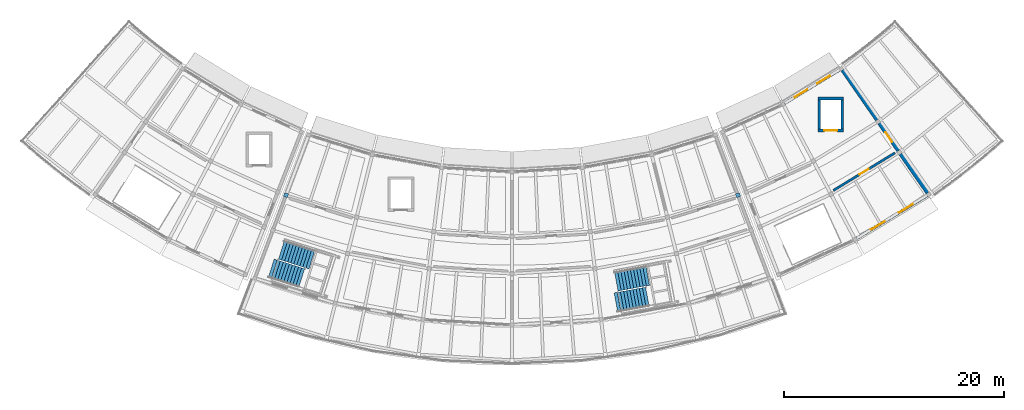
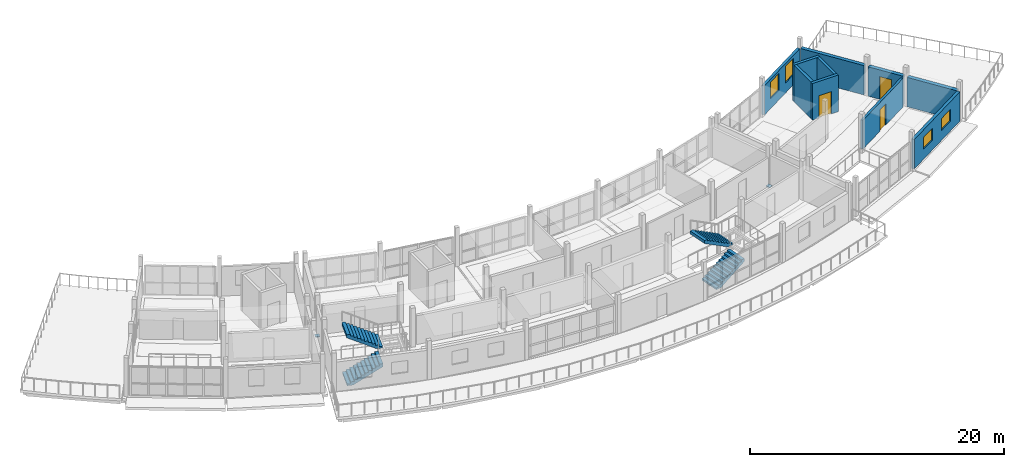
# One storey, part 19 of 24: 10 walls, 4 stair flights, 4 windows, 3 doors, 2 discrete accessories, 7 openings, 2 elements without a shape of their own.
"""IFC4 building model written with IfcOpenShell, lengths in metres."""

from ifc_helpers import new_model, si_unit, direction, frame, frame_2d, origin, origin_2d, place, context, subcontext, project, spatial, polyline, rectangle, outline, extrude, material, layer, layer_set, type_object, element, fill, aggregate, save


model = new_model("IFC4")

# Units and contexts
model_context = context("Model", 3, precision=1e-05, world=origin(), true_north=direction((0.0, 1.0)))
body_context = subcontext(model_context, "Body", "Model", "MODEL_VIEW")
ifc_project = project(units=[si_unit("LENGTHUNIT", "METRE"), si_unit("AREAUNIT", "SQUARE_METRE"), si_unit("VOLUMEUNIT", "CUBIC_METRE"), si_unit("PLANEANGLEUNIT", "RADIAN"), si_unit("MASSUNIT", "GRAM", prefix="KILO")], contexts=[model_context])

# Site, building, storey
site_placement = place(None, origin())
site = spatial("IfcSite", under=ifc_project, at=site_placement, CompositionType="ELEMENT")
building_placement = place(site_placement, origin())
building = spatial("IfcBuilding", under=site, at=building_placement, Name="Caldaven Crescent School", CompositionType="ELEMENT")
storey_placement = place(building_placement, frame((0.0, 0.0, 15.639892578125)))
storey = spatial("IfcBuildingStorey", under=building, at=storey_placement, Name="L04", CompositionType="ELEMENT", Elevation=15.639892578125)

# Wall
ifc_material_1 = material(Name="Concrete C35/45", Category="concrete")
ifc_layer_1 = layer(ifc_material_1, 0.300048828125)
ifc_layer_set_1 = layer_set([ifc_layer_1], Name="Concrete C35/45")
wall_type_1 = type_object("IfcWallType", Name="WAL-CW1", PredefinedType="SHEAR", material=ifc_layer_set_1)
wall_1_placement = place(storey_placement, frame((115.771484375, 50.213623046875, 0.0), z_axis=(0.0, 0.0, 1.0), x_axis=(1.0, 0.0, 0.0)))
element("IfcWall", 1, at=wall_1_placement, inside=storey, type_object=wall_type_1, Name="CW-LF6-L04-N", PredefinedType="SHEAR", context=body_context, shape_type="SweptSolid", body=[
    extrude(rectangle(XDim=2.349853515625, YDim=0.25, at=frame_2d((1.1748046875, 0.0))), origin(), (0.0, 0.0, 1.0), 3.530029296875),
])

# Wall, opening, door
wall_2_placement = place(storey_placement, frame((115.771484375, 47.313720703125, 0.0), z_axis=(0.0, 0.0, 1.0), x_axis=(1.0, 0.0, 0.0)))
wall_2 = element("IfcWall", 2, at=wall_2_placement, inside=storey, type_object=wall_type_1, Name="CW-LF6-L04-S", PredefinedType="SHEAR", context=body_context, shape_type="SweptSolid", body=[
    extrude(rectangle(XDim=2.349853515625, YDim=0.25, at=frame_2d((1.1748046875, 0.0))), origin(), (0.0, 0.0, 1.0), 3.530029296875),
])
opening_1_placement = place(wall_2_placement, frame((0.60009765625, 0.0, 0.0)))
opening_1 = element("IfcOpeningElement", 3, at=opening_1_placement, cuts=wall_2, Name="Opening LD-LF6-L04", PredefinedType="OPENING", context=body_context, shape_type="SweptSolid", body=[
    extrude(rectangle(XDim=1.14990234375, YDim=2.14990234375, at=frame_2d((0.574951171875, 1.074951171875))), frame((0.0, 0.135009765625, 0.0), z_axis=(0.0, -1.0, 0.0), x_axis=(1.0, 0.0, 0.0)), (0.0, 0.0, 1.0), 0.27001953125),
])
ifc_material_2 = material(Name="Brushed stainless-steel automatic telescopic landing door", Category="steel")
door_type_1 = type_object("IfcDoorType", Name="DOR-LD02", OperationType="DOUBLE_DOOR_SLIDING", PredefinedType="DOOR", material=ifc_material_2)
door_1_placement = place(opening_1_placement, origin())
door_1 = element("IfcDoor", 4, at=door_1_placement, inside=storey, type_object=door_type_1, Name="DOR-LD-LF6-L04", OperationType="DOUBLE_DOOR_SLIDING", OverallHeight=2.14990234375, OverallWidth=1.14990234375, PredefinedType="DOOR", context=body_context, shape_type="SweptSolid", body=[
    extrude(rectangle(XDim=1.14990234375, YDim=2.14990234375, at=frame_2d((0.574951171875, 1.074951171875))), frame((0.0, 0.02490234375, 0.0), z_axis=(0.0, -1.0, 0.0), x_axis=(1.0, 0.0, 0.0)), (0.0, 0.0, 1.0), 0.050048828125),
])
fill(opening_1, door_1)

# Walls
ifc_layer_2 = layer(ifc_material_1, 0.25)
ifc_layer_set_2 = layer_set([ifc_layer_2], Name="Concrete C35/45")
wall_type_2 = type_object("IfcWallType", Name="WAL-CW2", PredefinedType="SHEAR", material=ifc_layer_set_2)
for number, where, z_axis, x_axis, name in (
    (5, (115.896484375, 47.438720703125, 0.0), (0.0, 0.0, 1.0), (0.0, 1.0, 0.0), "CW-LF6-L04-W"),
    (6, (117.996337890625, 47.438720703125, 0.0), (0.0, 0.0, 1.0), (0.0, 1.0, 0.0), "CW-LF6-L04-E"),
):
    element("IfcWall", number, at=place(storey_placement, frame(where, z_axis=z_axis, x_axis=x_axis)), inside=storey, type_object=wall_type_2, Name=name, PredefinedType="SHEAR", context=body_context, shape_type="SweptSolid", body=[
        extrude(rectangle(XDim=2.64990234375, YDim=0.25, at=frame_2d((1.324951171875, 0.0))), origin(), (0.0, 0.0, 1.0), 3.530029296875),
    ])

# Wall, openings, windows
ifc_material_3 = material(Name="Precast concrete C35/45", Category="concrete")
ifc_layer_3 = layer(ifc_material_3, 0.251953125)
ifc_layer_set_3 = layer_set([ifc_layer_3], Name="Precast concrete C35/45")
wall_type_3 = type_object("IfcWallType", Name="WAL-EW06", PredefinedType="STANDARD", material=ifc_layer_set_3)
wall_3_placement = place(storey_placement, frame((112.76708984375, 49.77685546875, 0.0), z_axis=(0.0, 0.0, 1.0), x_axis=(0.853723820394, 0.520726068573, 0.0)))
wall_3 = element("IfcWall", 7, at=wall_3_placement, inside=storey, type_object=wall_type_3, Name="EW-L04-243", PredefinedType="STANDARD", context=body_context, shape_type="SweptSolid", body=[
    extrude(rectangle(XDim=5.853515625, YDim=0.251953125, at=frame_2d((2.9267578125, 0.0))), origin(), (0.0, 0.0, 1.0), 2.820068359375),
])
opening_2_placement = place(wall_3_placement, frame((1.057861328125, 0.0, 0.949951171875)))
opening_2 = element("IfcOpeningElement", 8, at=opening_2_placement, cuts=wall_3, Name="Opening W12", PredefinedType="OPENING", context=body_context, shape_type="SweptSolid", body=[
    extrude(rectangle(XDim=1.340087890625, YDim=1.60009765625, at=frame_2d((0.669921875, 0.800048828125))), frame((0.0, 0.135986328125, 0.0), z_axis=(0.0, -1.0, 0.0), x_axis=(1.0, 0.0, 0.0)), (0.0, 0.0, 1.0), 0.27197265625),
])
opening_3_placement = place(wall_3_placement, frame((3.45556640625, 0.0, 0.949951171875)))
opening_3 = element("IfcOpeningElement", 9, at=opening_3_placement, cuts=wall_3, Name="Opening W12", PredefinedType="OPENING", context=body_context, shape_type="SweptSolid", body=[
    extrude(rectangle(XDim=1.340087890625, YDim=1.60009765625, at=frame_2d((0.669921875, 0.800048828125))), frame((0.0, 0.135986328125, 0.0), z_axis=(0.0, -1.0, 0.0), x_axis=(1.0, 0.0, 0.0)), (0.0, 0.0, 1.0), 0.27197265625),
])
ifc_material_4 = material(Name="Thermally broken anodised aluminium AA 6063-T6 and low-E double glazing", Category="aluminium")
window_type_1 = type_object("IfcWindowType", Name="WIN-W12", PartitioningType="SINGLE_PANEL", PredefinedType="WINDOW", material=ifc_material_4)
window_1_placement = place(opening_2_placement, origin())
window_1 = element("IfcWindow", 10, at=window_1_placement, inside=storey, type_object=window_type_1, Name="WIN-L04-107-1", OverallHeight=1.60009765625, OverallWidth=1.340087890625, PartitioningType="SINGLE_PANEL", PredefinedType="WINDOW", context=body_context, shape_type="SweptSolid", body=[
    extrude(rectangle(XDim=1.340087890625, YDim=1.60009765625, at=frame_2d((0.669921875, 0.800048828125))), frame((0.0, 0.030029296875, 0.0), z_axis=(0.0, -1.0, 0.0), x_axis=(1.0, 0.0, 0.0)), (0.0, 0.0, 1.0), 0.06005859375),
])
fill(opening_2, window_1)
window_2_placement = place(opening_3_placement, origin())
window_2 = element("IfcWindow", 11, at=window_2_placement, inside=storey, type_object=window_type_1, Name="WIN-L04-107-2", OverallHeight=1.60009765625, OverallWidth=1.340087890625, PartitioningType="SINGLE_PANEL", PredefinedType="WINDOW", context=body_context, shape_type="SweptSolid", body=[
    extrude(rectangle(XDim=1.340087890625, YDim=1.60009765625, at=frame_2d((0.669921875, 0.800048828125))), frame((0.0, 0.030029296875, 0.0), z_axis=(0.0, -1.0, 0.0), x_axis=(1.0, 0.0, 0.0)), (0.0, 0.0, 1.0), 0.06005859375),
])
fill(opening_3, window_2)

ifc_layer_4 = layer(ifc_material_3, 0.263916015625)
ifc_layer_set_4 = layer_set([ifc_layer_4], Name="Precast concrete C35/45")
wall_type_4 = type_object("IfcWallType", Name="WAL-EW07", PredefinedType="STANDARD", material=ifc_layer_set_4)
wall_4_placement = place(storey_placement, frame((119.29296875, 37.50390625, 0.0), z_axis=(0.0, 0.0, 1.0), x_axis=(0.853701147524, 0.520763238638, 0.0)))
wall_4 = element("IfcWall", 12, at=wall_4_placement, inside=storey, type_object=wall_type_4, Name="EW-L04-244", PredefinedType="STANDARD", context=body_context, shape_type="SweptSolid", body=[
    extrude(rectangle(XDim=7.493408203125, YDim=0.263916015625, at=frame_2d((3.74658203125, 0.0))), origin(), (0.0, 0.0, 1.0), 2.820068359375),
])
opening_4_placement = place(wall_4_placement, frame((1.524658203125, 0.0, 0.949951171875)))
opening_4 = element("IfcOpeningElement", 13, at=opening_4_placement, cuts=wall_4, Name="Opening W13", PredefinedType="OPENING", context=body_context, shape_type="SweptSolid", body=[
    extrude(rectangle(XDim=1.4599609375, YDim=1.14990234375, at=frame_2d((0.72998046875, 0.574951171875))), frame((0.0, 0.141845703125, 0.0), z_axis=(0.0, -1.0, 0.0), x_axis=(1.0, 0.0, 0.0)), (0.0, 0.0, 1.0), 0.283935546875),
])
opening_5_placement = place(wall_4_placement, frame((4.509033203125, 0.0, 0.949951171875)))
opening_5 = element("IfcOpeningElement", 14, at=opening_5_placement, cuts=wall_4, Name="Opening W13", PredefinedType="OPENING", context=body_context, shape_type="SweptSolid", body=[
    extrude(rectangle(XDim=1.4599609375, YDim=1.14990234375, at=frame_2d((0.72998046875, 0.574951171875))), frame((0.0, 0.141845703125, 0.0), z_axis=(0.0, -1.0, 0.0), x_axis=(1.0, 0.0, 0.0)), (0.0, 0.0, 1.0), 0.283935546875),
])
window_type_2 = type_object("IfcWindowType", Name="WIN-W13", PartitioningType="SINGLE_PANEL", PredefinedType="WINDOW", material=ifc_material_4)
window_3_placement = place(opening_4_placement, origin())
window_3 = element("IfcWindow", 15, at=window_3_placement, inside=storey, type_object=window_type_2, Name="WIN-L04-108-1", OverallHeight=1.14990234375, OverallWidth=1.4599609375, PartitioningType="SINGLE_PANEL", PredefinedType="WINDOW", context=body_context, shape_type="SweptSolid", body=[
    extrude(rectangle(XDim=1.4599609375, YDim=1.14990234375, at=frame_2d((0.72998046875, 0.574951171875))), frame((0.0, 0.030029296875, 0.0), z_axis=(0.0, -1.0, 0.0), x_axis=(1.0, 0.0, 0.0)), (0.0, 0.0, 1.0), 0.06005859375),
])
fill(opening_4, window_3)
window_4_placement = place(opening_5_placement, origin())
window_4 = element("IfcWindow", 16, at=window_4_placement, inside=storey, type_object=window_type_2, Name="WIN-L04-108-2", OverallHeight=1.14990234375, OverallWidth=1.4599609375, PartitioningType="SINGLE_PANEL", PredefinedType="WINDOW", context=body_context, shape_type="SweptSolid", body=[
    extrude(rectangle(XDim=1.4599609375, YDim=1.14990234375, at=frame_2d((0.72998046875, 0.574951171875))), frame((0.0, 0.030029296875, 0.0), z_axis=(0.0, -1.0, 0.0), x_axis=(1.0, 0.0, 0.0)), (0.0, 0.0, 1.0), 0.06005859375),
])
fill(opening_5, window_4)

# Wall
ifc_layer_5 = layer(ifc_material_3, 0.31201171875)
ifc_layer_set_5 = layer_set([ifc_layer_5], Name="Precast concrete C35/45")
wall_type_5 = type_object("IfcWallType", Name="WAL-EW11", PredefinedType="STANDARD", material=ifc_layer_set_5)
wall_5_placement = place(storey_placement, frame((118.00341796875, 52.7744140625, 0.0), z_axis=(0.0, 0.0, 1.0), x_axis=(0.570236884325, -0.821480307588, 0.0)))
element("IfcWall", 17, at=wall_5_placement, inside=storey, type_object=wall_type_5, Name="EW-L04-248", PredefinedType="STANDARD", context=body_context, shape_type="SweptSolid", body=[
    extrude(rectangle(XDim=5.4990234375, YDim=0.31201171875, at=frame_2d((2.74951171875, 0.0))), origin(), (0.0, 0.0, 1.0), 2.820068359375),
])

# Wall, opening, door
ifc_layer_6 = layer(ifc_material_3, 0.323974609375)
ifc_layer_set_6 = layer_set([ifc_layer_6], Name="Precast concrete C35/45")
wall_type_6 = type_object("IfcWallType", Name="WAL-EW12", PredefinedType="STANDARD", material=ifc_layer_set_6)
wall_6_placement = place(storey_placement, frame((121.347900390625, 47.95654296875, 0.0), z_axis=(0.0, 0.0, 1.0), x_axis=(0.570201261131, -0.821505034559, 0.0)))
wall_6 = element("IfcWall", 18, at=wall_6_placement, inside=storey, type_object=wall_type_6, Name="EW-L04-249", PredefinedType="STANDARD", context=body_context, shape_type="SweptSolid", body=[
    extrude(rectangle(XDim=3.033935546875, YDim=0.323974609375, at=frame_2d((1.51708984375, 0.0))), origin(), (0.0, 0.0, 1.0), 2.820068359375),
])
opening_6_placement = place(wall_6_placement, frame((0.987060546875, 0.0, 0.0)))
opening_6 = element("IfcOpeningElement", 19, at=opening_6_placement, cuts=wall_6, Name="Opening D-L04-E042", PredefinedType="OPENING", context=body_context, shape_type="SweptSolid", body=[
    extrude(rectangle(XDim=1.06005859375, YDim=2.179931640625, at=frame_2d((0.530029296875, 1.08984375))), frame((0.0, 0.171875, 0.0), z_axis=(0.0, -1.0, 0.0), x_axis=(1.0, 0.0, 0.0)), (0.0, 0.0, 1.0), 0.343994140625),
])
ifc_material_5 = material(Name="Thermally broken bronze-anodised aluminium and laminated safety glass", Category="aluminium")
door_type_2 = type_object("IfcDoorType", Name="DOR-EX03", OperationType="NOTDEFINED", PredefinedType="DOOR", material=ifc_material_5)
door_2_placement = place(opening_6_placement, origin())
door_2 = element("IfcDoor", 20, at=door_2_placement, inside=storey, type_object=door_type_2, Name="DOR-EXT-L04-042", OperationType="SINGLE_SWING_LEFT", OverallHeight=2.179931640625, OverallWidth=1.06005859375, PredefinedType="DOOR", context=body_context, shape_type="SweptSolid", body=[
    extrude(rectangle(XDim=1.06005859375, YDim=2.179931640625, at=frame_2d((0.530029296875, 1.08984375))), frame((0.0, 0.02490234375, 0.0), z_axis=(0.0, -1.0, 0.0), x_axis=(1.0, 0.0, 0.0)), (0.0, 0.0, 1.0), 0.050048828125),
])
fill(opening_6, door_2)

# Wall
ifc_layer_7 = layer(ifc_material_3, 0.3359375)
ifc_layer_set_7 = layer_set([ifc_layer_7], Name="Precast concrete C35/45")
wall_type_7 = type_object("IfcWallType", Name="WAL-EW13", PredefinedType="STANDARD", material=ifc_layer_set_7)
wall_7_placement = place(storey_placement, frame((123.28662109375, 45.163330078125, 0.0), z_axis=(0.0, 0.0, 1.0), x_axis=(0.570237221937, -0.821480073232, 0.0)))
element("IfcWall", 21, at=wall_7_placement, inside=storey, type_object=wall_type_7, Name="EW-L04-250", PredefinedType="STANDARD", context=body_context, shape_type="SweptSolid", body=[
    extrude(rectangle(XDim=4.298828125, YDim=0.3359375, at=frame_2d((2.1494140625, 0.0))), origin(), (0.0, 0.0, 1.0), 2.820068359375),
])

# Wall, opening, door
ifc_material_6 = material(Name="Acoustic timber-stud and fire-rated gypsum board assembly", Category="wood")
ifc_layer_8 = layer(ifc_material_6, 0.2099609375)
ifc_layer_set_8 = layer_set([ifc_layer_8], Name="Acoustic timber-stud and fire-rated gypsum board assembly")
wall_type_8 = type_object("IfcWallType", Name="WAL-IW06", PredefinedType="STANDARD", material=ifc_layer_set_8)
wall_8_placement = place(storey_placement, frame((117.189208984375, 41.868408203125, 0.0), z_axis=(0.0, 0.0, 1.0), x_axis=(0.853694979533, 0.520773349855, 0.0)))
wall_8 = element("IfcWall", 22, at=wall_8_placement, inside=storey, type_object=wall_type_8, Name="IW-L04-0293", PredefinedType="STANDARD", context=body_context, shape_type="SweptSolid", body=[
    extrude(rectangle(XDim=6.539794921875, YDim=0.2099609375, at=frame_2d((3.27001953125, 0.0))), origin(), (0.0, 0.0, 1.0), 2.760009765625),
])
opening_7_placement = place(wall_8_placement, frame((2.77978515625, 0.0, 0.0)))
opening_7 = element("IfcOpeningElement", 23, at=opening_7_placement, cuts=wall_8, Name="Opening D-L04-I212", PredefinedType="OPENING", context=body_context, shape_type="SweptSolid", body=[
    extrude(rectangle(XDim=0.97998046875, YDim=2.06005859375, at=frame_2d((0.489990234375, 1.030029296875))), frame((0.0, 0.114990234375, 0.0), z_axis=(0.0, -1.0, 0.0), x_axis=(1.0, 0.0, 0.0)), (0.0, 0.0, 1.0), 0.22998046875),
])
ifc_material_7 = material(Name="Solid-core Pino Radiata acoustic timber leaf in steel frame", Category="steel")
door_type_3 = type_object("IfcDoorType", Name="DOR-ID13", OperationType="NOTDEFINED", PredefinedType="DOOR", material=ifc_material_7)
door_3_placement = place(opening_7_placement, origin())
door_3 = element("IfcDoor", 24, at=door_3_placement, inside=storey, type_object=door_type_3, Name="DOR-INT-L04-0212", OperationType="SINGLE_SWING_LEFT", OverallHeight=2.06005859375, OverallWidth=0.97998046875, PredefinedType="DOOR", context=body_context, shape_type="SweptSolid", body=[
    extrude(rectangle(XDim=0.97998046875, YDim=2.06005859375, at=frame_2d((0.489990234375, 1.030029296875))), frame((0.0, 0.02490234375, 0.0), z_axis=(0.0, -1.0, 0.0), x_axis=(1.0, 0.0, 0.0)), (0.0, 0.0, 1.0), 0.050048828125),
])
fill(opening_7, door_3)

# Stair, stair flights
ifc_material_8 = material(Name="Precast concrete C30/37", Category="concrete")
stair_type = type_object("IfcStairType", Name="STR-S6", PredefinedType="TWO_STRAIGHT_RUN_STAIR", material=ifc_material_8)
stair_1_placement = place(storey_placement, origin())
stair_1 = element("IfcStair", 25, at=stair_1_placement, inside=storey, type_object=stair_type, Name="STAIR-ST2-L04", PredefinedType="TWO_STRAIGHT_RUN_STAIR")
stair_flight_type = type_object("IfcStairFlightType", Name="STF-F6", PredefinedType="STRAIGHT", material=ifc_material_8)
stair_flight_1_placement = place(storey_placement, frame((66.14208984375, 34.789794921875, 0.0), z_axis=(0.0, 0.0, 1.0), x_axis=(0.953716950748, -0.300705799504, 0.0)))
stair_flight_1 = element("IfcStairFlight", 26, at=stair_flight_1_placement, type_object=stair_flight_type, Name="ST2-L04 flight 1", NumberOfRisers=11, NumberOfTreads=10, PredefinedType="STRAIGHT", RiserHeight=0.17, TreadLength=0.29, context=body_context, shape_type="SweptSolid", body=[
    extrude(outline(polyline([(0.0, 0.0), (0.0, 0.169921875), (0.2900390625, 0.169921875), (0.2900390625, 0.340087890625), (0.580078125, 0.340087890625), (0.580078125, 0.510009765625), (0.8701171875, 0.510009765625), (0.8701171875, 0.679931640625), (1.159912109375, 0.679931640625), (1.159912109375, 0.85009765625), (1.449951171875, 0.85009765625), (1.449951171875, 1.02001953125), (1.739990234375, 1.02001953125), (1.739990234375, 1.18994140625), (2.030029296875, 1.18994140625), (2.030029296875, 1.360107421875), (2.320068359375, 1.360107421875), (2.320068359375, 1.530029296875), (2.610107421875, 1.530029296875), (2.610107421875, 1.699951171875), (2.89990234375, 1.699951171875), (2.89990234375, 1.8701171875), (2.89990234375, 1.412353515625), (0.490478515625, 0.0), (0.0, 0.0)])), frame((0.0, 0.8798828125, 0.0), z_axis=(0.0, -1.0, 0.0), x_axis=(1.0, 0.0, 0.0)), (0.0, 0.0, 1.0), 1.760009765625),
])
stair_flight_2_placement = place(storey_placement, frame((69.82958984375, 35.577392578125, 1.8701171875), z_axis=(0.0, 0.0, 1.0), x_axis=(-0.953716950748, 0.300705799504, 0.0)))
stair_flight_2 = element("IfcStairFlight", 27, at=stair_flight_2_placement, type_object=stair_flight_type, Name="ST2-L04 flight 2", NumberOfRisers=11, NumberOfTreads=10, PredefinedType="STRAIGHT", RiserHeight=0.17, TreadLength=0.29, context=body_context, shape_type="SweptSolid", body=[
    extrude(outline(polyline([(0.0, 0.0), (0.0, 0.169921875), (0.2900390625, 0.169921875), (0.2900390625, 0.340087890625), (0.580078125, 0.340087890625), (0.580078125, 0.510009765625), (0.8701171875, 0.510009765625), (0.8701171875, 0.679931640625), (1.159912109375, 0.679931640625), (1.159912109375, 0.85009765625), (1.449951171875, 0.85009765625), (1.449951171875, 1.02001953125), (1.739990234375, 1.02001953125), (1.739990234375, 1.18994140625), (2.030029296875, 1.18994140625), (2.030029296875, 1.360107421875), (2.320068359375, 1.360107421875), (2.320068359375, 1.530029296875), (2.610107421875, 1.530029296875), (2.610107421875, 1.699951171875), (2.89990234375, 1.699951171875), (2.89990234375, 1.8701171875), (2.89990234375, 1.412353515625), (0.490478515625, 0.0), (0.0, 0.0)])), frame((0.0, 0.8798828125, 0.0), z_axis=(0.0, -1.0, 0.0), x_axis=(1.0, 0.0, 0.0)), (0.0, 0.0, 1.0), 1.760009765625),
])
aggregate(stair_1, [stair_flight_1, stair_flight_2])

stair_2_placement = place(storey_placement, origin())
stair_2 = element("IfcStair", 28, at=stair_2_placement, inside=storey, type_object=stair_type, Name="STAIR-ST3-L04", PredefinedType="TWO_STRAIGHT_RUN_STAIR")
stair_flight_3_placement = place(storey_placement, frame((97.43701171875, 31.69287109375, 0.0), z_axis=(0.0, 0.0, 1.0), x_axis=(0.983254907564, 0.182235525492, 0.0)))
stair_flight_3 = element("IfcStairFlight", 29, at=stair_flight_3_placement, type_object=stair_flight_type, Name="ST3-L04 flight 1", NumberOfRisers=11, NumberOfTreads=10, PredefinedType="STRAIGHT", RiserHeight=0.17, TreadLength=0.29, context=body_context, shape_type="SweptSolid", body=[
    extrude(outline(polyline([(0.0, 0.0), (0.0, 0.169921875), (0.2900390625, 0.169921875), (0.2900390625, 0.340087890625), (0.580078125, 0.340087890625), (0.580078125, 0.510009765625), (0.8701171875, 0.510009765625), (0.8701171875, 0.679931640625), (1.159912109375, 0.679931640625), (1.159912109375, 0.85009765625), (1.449951171875, 0.85009765625), (1.449951171875, 1.02001953125), (1.739990234375, 1.02001953125), (1.739990234375, 1.18994140625), (2.030029296875, 1.18994140625), (2.030029296875, 1.360107421875), (2.320068359375, 1.360107421875), (2.320068359375, 1.530029296875), (2.610107421875, 1.530029296875), (2.610107421875, 1.699951171875), (2.89990234375, 1.699951171875), (2.89990234375, 1.8701171875), (2.89990234375, 1.412353515625), (0.490478515625, 0.0), (0.0, 0.0)])), frame((0.0, 0.8798828125, 0.0), z_axis=(0.0, -1.0, 0.0), x_axis=(1.0, 0.0, 0.0)), (0.0, 0.0, 1.0), 1.760009765625),
])
stair_flight_4_placement = place(storey_placement, frame((100.3232421875, 34.11962890625, 1.8701171875), z_axis=(0.0, 0.0, 1.0), x_axis=(-0.983254907564, -0.182235525492, 0.0)))
stair_flight_4 = element("IfcStairFlight", 30, at=stair_flight_4_placement, type_object=stair_flight_type, Name="ST3-L04 flight 2", NumberOfRisers=11, NumberOfTreads=10, PredefinedType="STRAIGHT", RiserHeight=0.17, TreadLength=0.29, context=body_context, shape_type="SweptSolid", body=[
    extrude(outline(polyline([(0.0, 0.0), (0.0, 0.169921875), (0.2900390625, 0.169921875), (0.2900390625, 0.340087890625), (0.580078125, 0.340087890625), (0.580078125, 0.510009765625), (0.8701171875, 0.510009765625), (0.8701171875, 0.679931640625), (1.159912109375, 0.679931640625), (1.159912109375, 0.85009765625), (1.449951171875, 0.85009765625), (1.449951171875, 1.02001953125), (1.739990234375, 1.02001953125), (1.739990234375, 1.18994140625), (2.030029296875, 1.18994140625), (2.030029296875, 1.360107421875), (2.320068359375, 1.360107421875), (2.320068359375, 1.530029296875), (2.610107421875, 1.530029296875), (2.610107421875, 1.699951171875), (2.89990234375, 1.699951171875), (2.89990234375, 1.8701171875), (2.89990234375, 1.412353515625), (0.490478515625, 0.0), (0.0, 0.0)])), frame((0.0, 0.8798828125, 0.0), z_axis=(0.0, -1.0, 0.0), x_axis=(1.0, 0.0, 0.0)), (0.0, 0.0, 1.0), 1.760009765625),
])
aggregate(stair_2, [stair_flight_3, stair_flight_4])

# Discrete accessories
ifc_material_9 = material(Name="Steel ASTM A572 Grade 50", Category="steel")
discrete_accessory_type = type_object("IfcDiscreteAccessoryType", Name="ACC-SB1", PredefinedType="BRACKET", material=ifc_material_9)
for number, where, z_axis, x_axis, name in (
    (31, (67.482421875, 41.4296875, -0.309814453125), (0.0, 0.0, 1.0), (-0.352005016254, -0.93599811353, 0.0), "SB-L04-W"),
    (32, (108.517578125, 41.4296875, -0.309814453125), (0.0, 0.0, 1.0), (0.352005016254, -0.93599811353, 0.0), "SB-L04-E"),
):
    element("IfcDiscreteAccessory", number, at=place(storey_placement, frame(where, z_axis=z_axis, x_axis=x_axis)), inside=storey, type_object=discrete_accessory_type, Name=name, PredefinedType="BRACKET", context=body_context, shape_type="SweptSolid", body=[
        extrude(rectangle(XDim=0.360107421875, YDim=0.360107421875, at=origin_2d()), origin(), (0.0, 0.0, 1.0), 0.080078125),
    ])

save(model, "model.ifc")
